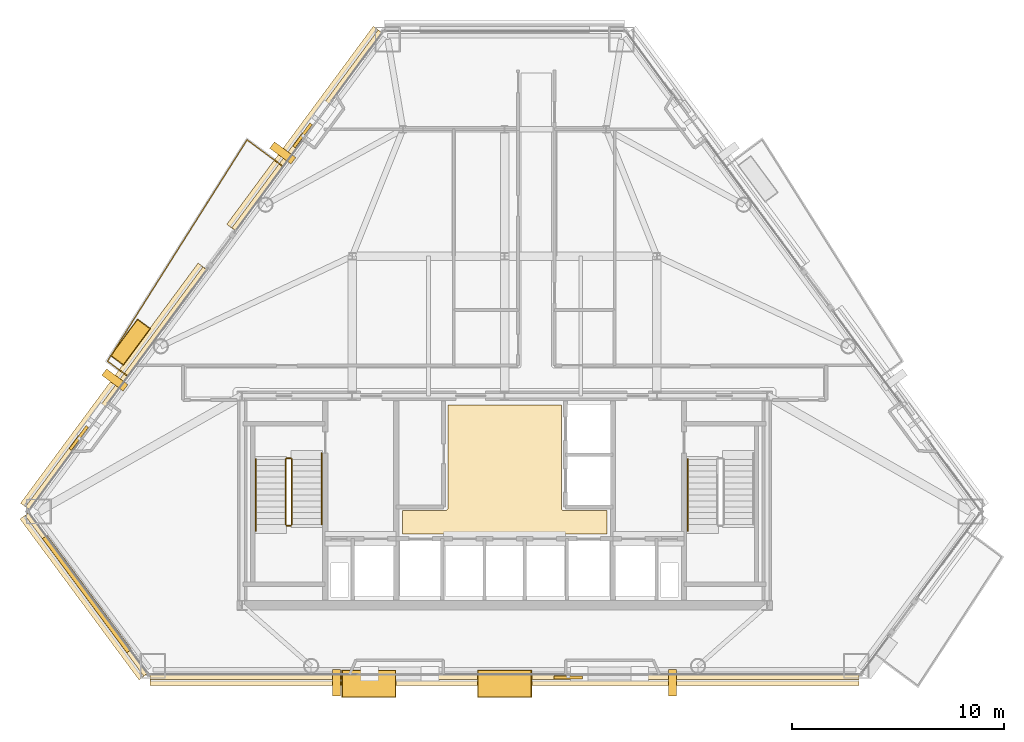
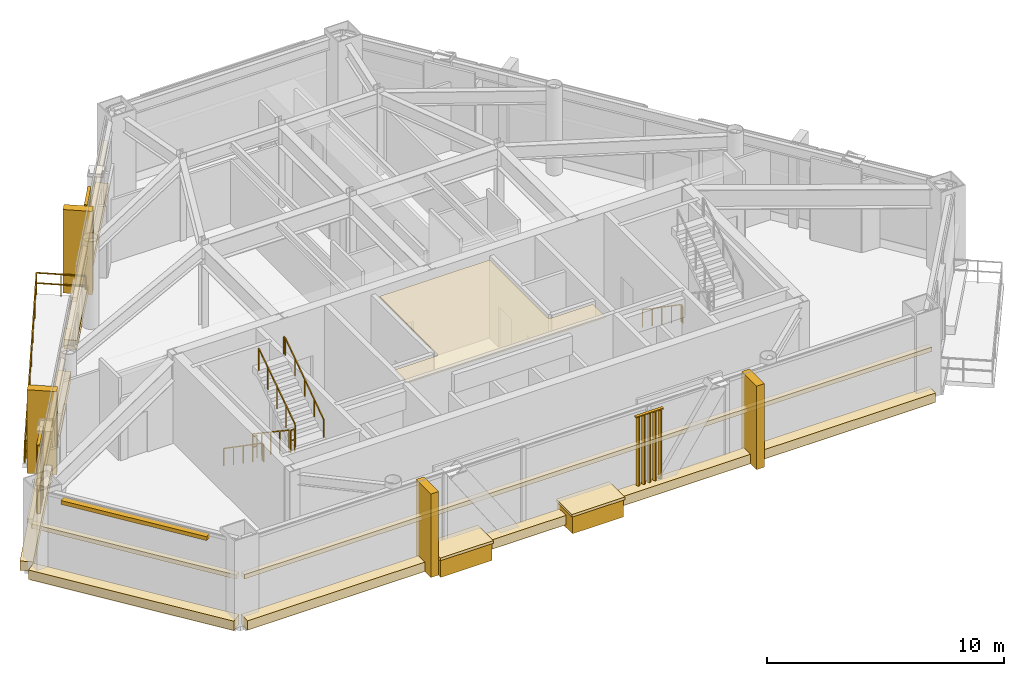
# One storey, part 10 of 11: 19 coverings, 8 railings, 4 shading devices.
"""IFC4 building model written with IfcOpenShell, lengths in metres."""

import ifcopenshell
import ifcopenshell.guid

model = None  # the IFC model being written
_history = None  # IfcOwnerHistory: only IFC2X3 demands one
_inside = {}  # id of a spatial element -> (the spatial element, [elements in it])
_under = {}  # id of a project, library or spatial element -> (it, [spatial elements below it])
_declared = {}  # id of a project -> (the project, [libraries it declares])
_typed = {}  # id of a type object -> (the type object, [elements of that type])
_made_of = {}  # id of a material, layer set ... -> (it, [elements and type objects made of it])


def new_model(schema):
    """Start an empty IFC model of exactly this schema.

    Asked for "IFC4X3", IfcOpenShell would pick the latest addendum, in which some entities
    have other attributes; the version numbers below select the first issue.
    IFC2X3 requires an IfcOwnerHistory on every rooted entity: one is made here for all.
    """
    global model, _history
    if schema == "IFC4X3":
        model = ifcopenshell.file(schema_version=(4, 3, 0, 0))
    else:
        model = ifcopenshell.file(schema=schema)
    _inside.clear()
    _under.clear()
    _declared.clear()
    _typed.clear()
    _made_of.clear()
    _history = None
    if model.schema == "IFC2X3":
        org = make("IfcOrganization", Name="unknown")
        user = make(
            "IfcPersonAndOrganization",
            ThePerson=make("IfcPerson", FamilyName="unknown"),
            TheOrganization=org,
        )
        app = make(
            "IfcApplication",
            ApplicationDeveloper=org,
            Version="unknown",
            ApplicationFullName="unknown",
            ApplicationIdentifier="unknown",
        )
        _history = make(
            "IfcOwnerHistory",
            OwningUser=user,
            OwningApplication=app,
            ChangeAction="ADDED",
            CreationDate=0,
        )
    return model


def make(cls, **values):
    """One entity of the class cls with the attributes given. An attribute that is None is left unset."""
    return model.create_entity(
        cls, **{name: value for name, value in values.items() if value is not None}
    )


def rooted(cls, **values):
    """An entity with a GlobalId (a new one), such as an element, a storey or a relation."""
    return make(cls, GlobalId=ifcopenshell.guid.new(), OwnerHistory=_history, **values)


def si_unit(unit_type, name, prefix=None):
    """IfcSIUnit, for example si_unit("LENGTHUNIT", "METRE", prefix="MILLI")."""
    return make("IfcSIUnit", UnitType=unit_type, Prefix=prefix, Name=name)


def assignment(units):
    """IfcUnitAssignment: the units of a project."""
    return None if units is None else make("IfcUnitAssignment", Units=units)


def point(xyz):
    """IfcCartesianPoint."""
    return None if xyz is None else make("IfcCartesianPoint", Coordinates=xyz)


def direction(xyz):
    """IfcDirection."""
    return None if xyz is None else make("IfcDirection", DirectionRatios=xyz)


def frame(location, z_axis=None, x_axis=None):
    """IfcAxis2Placement3D, a coordinate frame: its origin and axes. An axis left out is left unset."""
    return make(
        "IfcAxis2Placement3D",
        Location=point(location),
        Axis=direction(z_axis),
        RefDirection=direction(x_axis),
    )


def frame_2d(location, x_axis=None):
    """IfcAxis2Placement2D, a coordinate frame in the plane: its origin and x axis."""
    return make(
        "IfcAxis2Placement2D", Location=point(location), RefDirection=direction(x_axis)
    )


def origin():
    """The frame at (0, 0, 0) with its axes left unset."""
    return frame((0.0, 0.0, 0.0))


def origin_2d():
    """The frame at (0, 0) in the plane with its x axis left unset."""
    return frame_2d((0.0, 0.0))


def place(relative_to, where):
    """IfcLocalPlacement: puts the frame where relative to a parent placement (None: the world)."""
    return make(
        "IfcLocalPlacement", PlacementRelTo=relative_to, RelativePlacement=where
    )


def context(
    kind, dimensions, precision=None, world=None, true_north=None, identifier=None
):
    """IfcGeometricRepresentationContext, for example the 3D "Model" context."""
    return make(
        "IfcGeometricRepresentationContext",
        ContextIdentifier=identifier,
        ContextType=kind,
        CoordinateSpaceDimension=dimensions,
        Precision=precision,
        WorldCoordinateSystem=world,
        TrueNorth=true_north,
    )


def subcontext(parent, identifier, kind, view, scale=None):
    """IfcGeometricRepresentationSubContext, for example "Body" below "Model"."""
    return make(
        "IfcGeometricRepresentationSubContext",
        ContextIdentifier=identifier,
        ContextType=kind,
        ParentContext=parent,
        TargetScale=scale,
        TargetView=view,
    )


def project(units=None, contexts=None):
    """IfcProject with its units and contexts."""
    return rooted(
        "IfcProject",
        Name="project",
        RepresentationContexts=contexts,
        UnitsInContext=assignment(units),
    )


def spatial(cls, under=None, at=None, **own):
    """A site, building, storey or space (cls), placed at a placement, below another one or the project."""
    s = rooted(cls, ObjectPlacement=at, **own)
    if under is not None:
        _under.setdefault(under.id(), (under, []))[1].append(s)
    return s


def polyline(points):
    """IfcPolyline through the points."""
    return make("IfcPolyline", Points=[point(p) for p in points])


def profile(cls, at=None, kind="AREA", **sizes):
    """A parametric profile (cls). Its sizes go by their IFC names, for example OverallWidth=200.0."""
    return make(cls, ProfileType=kind, Position=at, **sizes)


def rectangle(**sizes):
    """IfcRectangleProfileDef."""
    return profile("IfcRectangleProfileDef", **sizes)


def outline(outer, holes=None, kind="AREA"):
    """IfcArbitraryClosedProfileDef: a profile drawn as a closed curve; with holes, ...WithVoids."""
    if holes is None:
        return make("IfcArbitraryClosedProfileDef", ProfileType=kind, OuterCurve=outer)
    return make(
        "IfcArbitraryProfileDefWithVoids",
        ProfileType=kind,
        OuterCurve=outer,
        InnerCurves=holes,
    )


def extrude(swept, where, along, depth):
    """IfcExtrudedAreaSolid: the profile swept, set in the frame where, extruded along a direction by depth."""
    return make(
        "IfcExtrudedAreaSolid",
        SweptArea=swept,
        Position=where,
        ExtrudedDirection=direction(along),
        Depth=depth,
    )


def shape(context_of_items, identifier, shape_type, items):
    """IfcShapeRepresentation: the items that make up one representation, for example the "Body"."""
    return make(
        "IfcShapeRepresentation",
        ContextOfItems=context_of_items,
        RepresentationIdentifier=identifier,
        RepresentationType=shape_type,
        Items=items,
    )


def source(mapping_origin, context_of_items, identifier, shape_type, items):
    """IfcRepresentationMap: a shape defined once, which mapped items show again and again."""
    return make(
        "IfcRepresentationMap",
        MappingOrigin=mapping_origin,
        MappedRepresentation=shape(context_of_items, identifier, shape_type, items),
    )


def transform(
    local_origin,
    x_axis=None,
    y_axis=None,
    z_axis=None,
    scale=None,
    scale2=None,
    scale3=None,
    uniform=True,
):
    """IfcCartesianTransformationOperator3D, or its non-uniform kind. x_axis, y_axis, z_axis: its Axis1, 2, 3."""
    if uniform:
        return make(
            "IfcCartesianTransformationOperator3D",
            Axis1=direction(x_axis),
            Axis2=direction(y_axis),
            LocalOrigin=point(local_origin),
            Scale=scale,
            Axis3=direction(z_axis),
        )
    return make(
        "IfcCartesianTransformationOperator3DnonUniform",
        Axis1=direction(x_axis),
        Axis2=direction(y_axis),
        LocalOrigin=point(local_origin),
        Scale=scale,
        Axis3=direction(z_axis),
        Scale2=scale2,
        Scale3=scale3,
    )


def mapped(mapping_source, mapping_target):
    """IfcMappedItem: shows the shape of a source again, moved by a transform."""
    return make(
        "IfcMappedItem", MappingSource=mapping_source, MappingTarget=mapping_target
    )


def material(Name=None, Category=None):
    """IfcMaterial."""
    return make("IfcMaterial", Name=Name, Category=Category)


def layer(
    of_material, thickness, ventilated=None, Name=None, Category=None, Priority=None
):
    """IfcMaterialLayer: one layer of a wall or slab, of a material (None: an air gap)."""
    return make(
        "IfcMaterialLayer",
        Material=of_material,
        LayerThickness=thickness,
        IsVentilated=ventilated,
        Name=Name,
        Category=Category,
        Priority=Priority,
    )


def layer_set(layers, Name=None):
    """IfcMaterialLayerSet."""
    return make("IfcMaterialLayerSet", MaterialLayers=layers, LayerSetName=Name)


def made_of(thing, what):
    """Note that an element or type object is made of a material, layer set ...; save() writes the relation."""
    if what is not None:
        _made_of.setdefault(what.id(), (what, []))[1].append(thing)
    return thing


def type_object(cls, material=None, **own):
    """A type object (cls), such as IfcWallType, which elements share."""
    return made_of(rooted(cls, **own), material)


def type_shapes(of_type, sources):
    """Give a type object the sources (RepresentationMaps) that its elements show as mapped items."""
    of_type.RepresentationMaps = sources


def element(
    cls,
    number,
    at=None,
    inside=None,
    cuts=None,
    type_object=None,
    material=None,
    context=None,
    identifier="Body",
    shape_type=None,
    held_by="IfcProductDefinitionShape",
    body=None,
    shapes=None,
    **own,
):
    """One element of the class cls, such as IfcWall. Its Tag is "e" and its number.

    at: its placement. inside: the storey or other place that contains it. cuts: it is an
    opening in that element (IfcRelVoidsElement). A single representation is given by context,
    identifier, shape_type and body (its items); several are given by shapes. held_by: the class
    of the entity that holds the representations. save() writes the other relations.
    """
    e = rooted(cls, Tag="e%d" % number, ObjectPlacement=at, **own)
    if body is not None:
        shapes = [shape(context, identifier, shape_type, body)]
    if shapes is not None:
        e.Representation = make(held_by, Representations=shapes)
    if inside is not None:
        _inside.setdefault(inside.id(), (inside, []))[1].append(e)
    if cuts is not None:
        rooted(
            "IfcRelVoidsElement", RelatingBuildingElement=cuts, RelatedOpeningElement=e
        )
    if type_object is not None:
        _typed.setdefault(type_object.id(), (type_object, []))[1].append(e)
    return made_of(e, material)


def aggregate(whole, parts):
    """IfcRelAggregates: a whole, such as a stair, and the parts it consists of."""
    return rooted("IfcRelAggregates", RelatingObject=whole, RelatedObjects=parts)


def save(model, path):
    """Write the relations noted so far, then the file.

    IfcRelAggregates (storeys below a building ...), IfcRelContainedInSpatialStructure (elements
    in a storey), IfcRelDefinesByType, IfcRelAssociatesMaterial and IfcRelDeclares: one each for
    every whole, place, type object, material and project.
    """
    for whole, parts in _under.values():
        aggregate(whole, parts)
    for where, things in _inside.values():
        rooted(
            "IfcRelContainedInSpatialStructure",
            RelatedElements=things,
            RelatingStructure=where,
        )
    for kind, things in _typed.values():
        rooted("IfcRelDefinesByType", RelatedObjects=things, RelatingType=kind)
    for what, things in _made_of.values():
        rooted("IfcRelAssociatesMaterial", RelatedObjects=things, RelatingMaterial=what)
    for by, libraries in _declared.values():
        rooted("IfcRelDeclares", RelatingContext=by, RelatedDefinitions=libraries)
    model.write(path)


model = new_model("IFC4")

# Units and contexts
model_context = context("Model", 3, precision=1e-05, world=origin(), true_north=direction((0.0, 1.0)))
body_context = subcontext(model_context, "Body", "Model", "MODEL_VIEW")
ifc_project = project(units=[si_unit("LENGTHUNIT", "METRE"), si_unit("AREAUNIT", "SQUARE_METRE"), si_unit("VOLUMEUNIT", "CUBIC_METRE"), si_unit("PLANEANGLEUNIT", "RADIAN"), si_unit("MASSUNIT", "GRAM", prefix="KILO")], contexts=[model_context])

# Site, building, storey
site_placement = place(None, origin())
site = spatial("IfcSite", under=ifc_project, at=site_placement, CompositionType="ELEMENT")
building_placement = place(site_placement, origin())
building = spatial("IfcBuilding", under=site, at=building_placement, Name="Talgorran Terracotta Tower", CompositionType="ELEMENT")
storey_placement = place(building_placement, frame((0.0, 0.0, 117.60009765625)))
storey = spatial("IfcBuildingStorey", under=building, at=storey_placement, Name="L30", CompositionType="ELEMENT", Elevation=117.60009765625)

# Coverings
ifc_material_1 = material(Name="Kiln-Fired Terracotta Ochre Ceramic", Category="masonry")
ifc_layer_1 = layer(ifc_material_1, 0.179931640625, Name="COV_BAGUETTE_TERRACOTTA_SCREEN")
ifc_layer_set_1 = layer_set([ifc_layer_1], Name="Kiln-Fired Terracotta Ochre Ceramic")
covering_type_1 = type_object("IfcCoveringType", Name="COV_BAGUETTE_TERRACOTTA_SCREEN", PredefinedType="CLADDING", material=ifc_layer_set_1)
covering_1_placement = place(storey_placement, frame((-19.748291015625, -13.572021484375, 2.41015625), z_axis=(0.0, 0.0, 1.0), x_axis=(0.594640382106, -0.803991800934, 0.0)))
element("IfcCovering", 1, at=covering_1_placement, inside=storey, type_object=covering_type_1, Name="L30 Terracotta Baguette Solar Screen Assembly F0", PredefinedType="CLADDING", context=body_context, shape_type="SweptSolid", body=[
    extrude(rectangle(XDim=9.43896484375, YDim=0.260009765625, at=origin_2d()), origin(), (0.0, 0.0, 1.0), 0.219970703125),
])
covering_2_placement = place(storey_placement, frame((0.0, -17.46337890625, 2.41015625), z_axis=(0.0, 0.0, 1.0), x_axis=(1.0, 0.0, 0.0)))
element("IfcCovering", 2, at=covering_2_placement, inside=storey, type_object=covering_type_1, Name="L30 Terracotta Baguette Solar Screen Assembly F1", PredefinedType="CLADDING", context=body_context, shape_type="SweptSolid", body=[
    extrude(rectangle(XDim=33.5, YDim=0.260009765625, at=origin_2d()), origin(), (0.0, 0.0, 1.0), 0.219970703125),
])
covering_3_placement = place(storey_placement, frame((-9.326904296875, 8.3388671875, 2.41015625), z_axis=(0.0, 0.0, 1.0), x_axis=(-0.594640382106, -0.803991800934, 0.0)))
element("IfcCovering", 3, at=covering_3_placement, inside=storey, type_object=covering_type_1, Name="L30 Terracotta Baguette Solar Screen Assembly F60", PredefinedType="CLADDING", context=body_context, shape_type="SweptSolid", body=[
    extrude(rectangle(XDim=11.626953125, YDim=0.260009765625, at=origin_2d()), origin(), (0.0, 0.0, 1.0), 0.219970703125),
])
covering_4_placement = place(storey_placement, frame((-18.34130859375, -3.84912109375, 2.41015625), z_axis=(0.0, 0.0, 1.0), x_axis=(-0.594640382106, -0.803991800934, 0.0)))
element("IfcCovering", 4, at=covering_4_placement, inside=storey, type_object=covering_type_1, Name="L30 Terracotta Baguette Solar Screen Assembly F61", PredefinedType="CLADDING", context=body_context, shape_type="SweptSolid", body=[
    extrude(rectangle(XDim=14.091796875, YDim=0.260009765625, at=origin_2d()), origin(), (0.0, 0.0, 1.0), 0.219970703125),
])
ifc_material_2 = material(Name="Flush Moisture-Resistant Plaster")
ifc_layer_2 = layer(ifc_material_2, 0.01806640625, Name="COV_CEIL_PLASTER")
ifc_layer_set_2 = layer_set([ifc_layer_2], Name="Flush Moisture-Resistant Plaster")
covering_type_2 = type_object("IfcCoveringType", Name="COV_CEIL_PLASTER", PredefinedType="CEILING", material=ifc_layer_set_2)
covering_5_placement = place(storey_placement, frame((0.0, 0.0, 4.159912109375)))
element("IfcCovering", 5, at=covering_5_placement, inside=storey, type_object=covering_type_2, Name="CEIL-L30-1", PredefinedType="CEILING", context=body_context, shape_type="SweptSolid", body=[
    extrude(outline(polyline([(-4.830078125, -9.6201171875), (-2.800048828125, -9.6201171875), (-2.7880859375, -9.619384765625), (-2.776611328125, -9.61767578125), (-2.76513671875, -9.61474609375), (-2.754150390625, -9.61083984375), (-2.743408203125, -9.605712890625), (-2.7333984375, -9.599853515625), (-2.723876953125, -9.5927734375), (-2.715087890625, -9.5849609375), (-2.707275390625, -9.576171875), (-2.7001953125, -9.566650390625), (-2.694091796875, -9.556640625), (-2.689208984375, -9.5458984375), (-2.685302734375, -9.534912109375), (-2.682373046875, -9.5234375), (-2.6806640625, -9.51171875), (-2.679931640625, -9.5), (-2.679931640625, -4.6201171875), (2.679931640625, -4.6201171875), (2.679931640625, -9.5), (2.6806640625, -9.51171875), (2.682373046875, -9.5234375), (2.685302734375, -9.534912109375), (2.689208984375, -9.5458984375), (2.694091796875, -9.556640625), (2.7001953125, -9.566650390625), (2.707275390625, -9.576171875), (2.715087890625, -9.5849609375), (2.723876953125, -9.5927734375), (2.7333984375, -9.599853515625), (2.743408203125, -9.605712890625), (2.754150390625, -9.61083984375), (2.76513671875, -9.61474609375), (2.776611328125, -9.61767578125), (2.7880859375, -9.619384765625), (2.800048828125, -9.6201171875), (4.830078125, -9.6201171875), (4.830078125, -10.72998046875), (-4.830078125, -10.72998046875), (-4.830078125, -9.6201171875)])), origin(), (0.0, 0.0, 1.0), 0.02001953125),
])
ifc_material_3 = material(Name="Honed Limestone and Terracotta Planter", Category="masonry")
ifc_layer_3 = layer(ifc_material_3, 0.1201171875, Name="COV_PLANTER_BOX")
ifc_layer_set_3 = layer_set([ifc_layer_3], Name="Honed Limestone and Terracotta Planter")
covering_type_3 = type_object("IfcCoveringType", Name="COV_PLANTER_BOX", PredefinedType="CLADDING", material=ifc_layer_set_3)
for number, where, z_axis, x_axis, name in (
    (6, (-6.41455078125, -17.80322265625, -0.18017578125), (0.0, 0.0, 1.0), (1.0, 0.0, 0.0), "L30 Staggered South Facade Planter Box 1"),
    (7, (0.0, -17.80322265625, -0.18017578125), (0.0, 0.0, 1.0), (1.0, 0.0, 0.0), "L30 Staggered South Facade Planter Box 2"),
):
    element("IfcCovering", number, at=place(storey_placement, frame(where, z_axis=z_axis, x_axis=x_axis)), inside=storey, type_object=covering_type_3, Name=name, PredefinedType="CLADDING", context=body_context, shape_type="SweptSolid", body=[
        extrude(rectangle(XDim=2.5, YDim=1.25, at=origin_2d()), origin(), (0.0, 0.0, 1.0), 0.919921875),
    ])
covering_6_placement = place(storey_placement, frame((-17.679443359375, -1.659423828125, -0.02001953125), z_axis=(0.0, 0.0, 1.0), x_axis=(-0.594640382106, -0.803991800934, 0.0)))
element("IfcCovering", 8, at=covering_6_placement, inside=storey, type_object=covering_type_3, Name="L30 Staggered Balcony Planter Box BAL-NW", PredefinedType="CLADDING", context=body_context, shape_type="SweptSolid", body=[
    extrude(rectangle(XDim=2.10009765625, YDim=0.719970703125, at=origin_2d()), origin(), (0.0, 0.0, 1.0), 0.860107421875),
])
ifc_material_4 = material(Name="Kiln-Fired Terracotta Planter Rim", Category="masonry")
ifc_layer_4 = layer(ifc_material_4, 0.10009765625, Name="COV_PLANTER_RIM")
ifc_layer_set_4 = layer_set([ifc_layer_4], Name="Kiln-Fired Terracotta Planter Rim")
covering_type_4 = type_object("IfcCoveringType", Name="COV_PLANTER_RIM", PredefinedType="CLADDING", material=ifc_layer_set_4)
for number, where, z_axis, x_axis, name in (
    (9, (-6.41455078125, -17.80322265625, 0.7099609375), (0.0, 0.0, 1.0), (1.0, 0.0, 0.0), "L30 South Planter Terracotta Rim 1"),
    (10, (0.0, -17.80322265625, 0.7099609375), (0.0, 0.0, 1.0), (1.0, 0.0, 0.0), "L30 South Planter Terracotta Rim 2"),
):
    element("IfcCovering", number, at=place(storey_placement, frame(where, z_axis=z_axis, x_axis=x_axis)), inside=storey, type_object=covering_type_4, Name=name, PredefinedType="CLADDING", context=body_context, shape_type="SweptSolid", body=[
        extrude(rectangle(XDim=2.580078125, YDim=1.320068359375, at=origin_2d()), origin(), (0.0, 0.0, 1.0), 0.139892578125),
    ])
covering_7_placement = place(storey_placement, frame((-17.679443359375, -1.659423828125, 0.7998046875), z_axis=(0.0, 0.0, 1.0), x_axis=(-0.594640382106, -0.803991800934, 0.0)))
element("IfcCovering", 11, at=covering_7_placement, inside=storey, type_object=covering_type_4, Name="L30 Balcony Planter Terracotta Rim BAL-NW", PredefinedType="CLADDING", context=body_context, shape_type="SweptSolid", body=[
    extrude(rectangle(XDim=2.179931640625, YDim=0.780029296875, at=origin_2d()), origin(), (0.0, 0.0, 1.0), 0.1201171875),
])
ifc_material_5 = material(Name="Honed Limestone Cladding", Category="masonry")
ifc_layer_5 = layer(ifc_material_5, 0.094970703125, Name="COV_PORTAL_LIME")
ifc_layer_set_5 = layer_set([ifc_layer_5], Name="Honed Limestone Cladding")
covering_type_5 = type_object("IfcCoveringType", Name="COV_PORTAL_LIME", PredefinedType="CLADDING", material=ifc_layer_set_5)
covering_8_placement = place(storey_placement, frame((-19.861083984375, -13.6552734375, -0.0400390625), z_axis=(0.0, 0.0, 1.0), x_axis=(0.594640382106, -0.803991800934, 0.0)))
element("IfcCovering", 12, at=covering_8_placement, inside=storey, type_object=covering_type_5, Name="L30 Striped Postmodern Portal Cladding Band F0", PredefinedType="CLADDING", context=body_context, shape_type="SweptSolid", body=[
    extrude(rectangle(XDim=9.458984375, YDim=0.56005859375, at=origin_2d()), origin(), (0.0, 0.0, 1.0), 0.47998046875),
])
covering_9_placement = place(storey_placement, frame((0.0, -17.603271484375, -0.0400390625), z_axis=(0.0, 0.0, 1.0), x_axis=(1.0, 0.0, 0.0)))
element("IfcCovering", 13, at=covering_9_placement, inside=storey, type_object=covering_type_5, Name="L30 Striped Postmodern Portal Cladding Band F1", PredefinedType="CLADDING", context=body_context, shape_type="SweptSolid", body=[
    extrude(rectangle(XDim=33.52001953125, YDim=0.56005859375, at=origin_2d()), origin(), (0.0, 0.0, 1.0), 0.47998046875),
])
covering_10_placement = place(storey_placement, frame((-9.439453125, 8.422119140625, -0.0400390625), z_axis=(0.0, 0.0, 1.0), x_axis=(-0.594640382106, -0.803991800934, 0.0)))
element("IfcCovering", 14, at=covering_10_placement, inside=storey, type_object=covering_type_5, Name="L30 Striped Postmodern Portal Cladding Band F60", PredefinedType="CLADDING", context=body_context, shape_type="SweptSolid", body=[
    extrude(rectangle(XDim=11.64697265625, YDim=0.56005859375, at=origin_2d()), origin(), (0.0, 0.0, 1.0), 0.47998046875),
])
covering_11_placement = place(storey_placement, frame((-18.453857421875, -3.765869140625, -0.0400390625), z_axis=(0.0, 0.0, 1.0), x_axis=(-0.594640382106, -0.803991800934, 0.0)))
element("IfcCovering", 15, at=covering_11_placement, inside=storey, type_object=covering_type_5, Name="L30 Striped Postmodern Portal Cladding Band F61", PredefinedType="CLADDING", context=body_context, shape_type="SweptSolid", body=[
    extrude(rectangle(XDim=14.11181640625, YDim=0.56005859375, at=origin_2d()), origin(), (0.0, 0.0, 1.0), 0.47998046875),
])
for number, where, z_axis, x_axis, name in (
    (16, (7.933837890625, -17.76318359375, -0.05029296875), (0.0, 0.0, 1.0), (1.0, 0.0, 0.0), "L30 White Striped Portal Fin F1-2"),
    (17, (-18.4169921875, -3.447021484375, -0.05029296875), (0.0, 0.0, 1.0), (-0.594640382106, -0.803991800934, 0.0), "L30 White Striped Portal Fin F5-2"),
):
    element("IfcCovering", number, at=place(storey_placement, frame(where, z_axis=z_axis, x_axis=x_axis)), inside=storey, type_object=covering_type_5, Name=name, PredefinedType="CLADDING", context=body_context, shape_type="SweptSolid", body=[
        extrude(rectangle(XDim=0.3798828125, YDim=1.25, at=origin_2d()), origin(), (0.0, 0.0, 1.0), 4.300048828125),
    ])
ifc_material_6 = material(Name="Kiln-Fired Terracotta Cladding", Category="masonry")
ifc_layer_6 = layer(ifc_material_6, 0.090087890625, Name="COV_PORTAL_TERRA")
ifc_layer_set_6 = layer_set([ifc_layer_6], Name="Kiln-Fired Terracotta Cladding")
covering_type_6 = type_object("IfcCoveringType", Name="COV_PORTAL_TERRA", PredefinedType="CLADDING", material=ifc_layer_set_6)
for number, where, z_axis, x_axis, name in (
    (18, (-7.933837890625, -17.76318359375, -0.05029296875), (0.0, 0.0, 1.0), (1.0, 0.0, 0.0), "L30 Terracotta Striped Portal Fin F1-1"),
    (19, (-10.483154296875, 7.280029296875, -0.05029296875), (0.0, 0.0, 1.0), (-0.594640382106, -0.803991800934, 0.0), "L30 Terracotta Striped Portal Fin F5-1"),
):
    element("IfcCovering", number, at=place(storey_placement, frame(where, z_axis=z_axis, x_axis=x_axis)), inside=storey, type_object=covering_type_6, Name=name, PredefinedType="CLADDING", context=body_context, shape_type="SweptSolid", body=[
        extrude(rectangle(XDim=0.3798828125, YDim=1.25, at=origin_2d()), origin(), (0.0, 0.0, 1.0), 4.300048828125),
    ])

# Railings
ifc_material_7 = material(Name="Laminated Glass and Stainless Steel 316", Category="steel")
railing_type_1 = type_object("IfcRailingType", Name="RL_BALCONY_1150", PredefinedType="BALUSTRADE", material=ifc_material_7)
railing_1_placement = place(storey_placement, frame((-10.478515625, 6.6474609375, 0.0)))
element("IfcRailing", 20, at=railing_1_placement, inside=storey, type_object=railing_type_1, Name="RL-L30-BAL-BAL-NW", PredefinedType="BALUSTRADE", context=body_context, shape_type="SweptSolid", body=[
    extrude(rectangle(XDim=0.048095703125, YDim=0.048095703125, at=origin_2d()), frame((0.0, 0.0, 1.1259765625), z_axis=(-0.803995114748, 0.594635901592, 0.0), x_axis=(-0.594635901592, -0.803995114748, 0.0)), (0.0, 0.0, 1.0), 2.1025390625),
    extrude(rectangle(XDim=0.048095703125, YDim=0.048095703125, at=origin_2d()), frame((0.0, 0.0, 0.597900390625), z_axis=(-0.803995114748, 0.594635901592, 0.0), x_axis=(-0.594635901592, -0.803995114748, 0.0)), (0.0, 0.0, 1.0), 2.1025390625),
    extrude(rectangle(XDim=0.048095703125, YDim=0.048095703125, at=origin_2d()), frame((-1.6904296875, 1.250244140625, 1.1259765625), z_axis=(-0.533494421318, -0.845803583832, 0.0), x_axis=(0.845803583832, -0.533494421318, 0.0)), (0.0, 0.0, 1.0), 12.364501953125),
    extrude(rectangle(XDim=0.048095703125, YDim=0.048095703125, at=origin_2d()), frame((-1.6904296875, 1.250244140625, 0.597900390625), z_axis=(-0.533494421318, -0.845803583832, 0.0), x_axis=(0.845803583832, -0.533494421318, 0.0)), (0.0, 0.0, 1.0), 12.364501953125),
    extrude(rectangle(XDim=0.048095703125, YDim=0.048095703125, at=origin_2d()), frame((-8.286865234375, -9.207763671875, 1.1259765625), z_axis=(0.803979525479, -0.594656978947, 0.0), x_axis=(0.594656978947, 0.803979525479, 0.0)), (0.0, 0.0, 1.0), 1.187255859375),
    extrude(rectangle(XDim=0.048095703125, YDim=0.048095703125, at=origin_2d()), frame((-8.286865234375, -9.207763671875, 0.597900390625), z_axis=(0.803979525479, -0.594656978947, 0.0), x_axis=(0.594656978947, 0.803979525479, 0.0)), (0.0, 0.0, 1.0), 1.187255859375),
    extrude(rectangle(XDim=0.0419921875, YDim=0.0419921875, at=origin_2d()), origin(), (0.0, 0.0, 1.0), 1.101806640625),
    extrude(rectangle(XDim=0.0419921875, YDim=0.0419921875, at=origin_2d()), frame((-0.84521484375, 0.625, 0.0)), (0.0, 0.0, 1.0), 1.101806640625),
    extrude(rectangle(XDim=0.0419921875, YDim=0.0419921875, at=origin_2d()), frame((-1.6904296875, 1.250244140625, 0.0)), (0.0, 0.0, 1.0), 1.101806640625),
    extrude(rectangle(XDim=0.0419921875, YDim=0.0419921875, at=origin_2d()), frame((-2.6328125, -0.24365234375, 0.0)), (0.0, 0.0, 1.0), 1.101806640625),
    extrude(rectangle(XDim=0.0419921875, YDim=0.0419921875, at=origin_2d()), frame((-3.5751953125, -1.73779296875, 0.0)), (0.0, 0.0, 1.0), 1.101806640625),
    extrude(rectangle(XDim=0.0419921875, YDim=0.0419921875, at=origin_2d()), frame((-4.517578125, -3.231689453125, 0.0)), (0.0, 0.0, 1.0), 1.101806640625),
    extrude(rectangle(XDim=0.0419921875, YDim=0.0419921875, at=origin_2d()), frame((-5.459716796875, -4.725830078125, 0.0)), (0.0, 0.0, 1.0), 1.101806640625),
    extrude(rectangle(XDim=0.0419921875, YDim=0.0419921875, at=origin_2d()), frame((-6.402099609375, -6.2197265625, 0.0)), (0.0, 0.0, 1.0), 1.101806640625),
    extrude(rectangle(XDim=0.0419921875, YDim=0.0419921875, at=origin_2d()), frame((-7.344482421875, -7.7138671875, 0.0)), (0.0, 0.0, 1.0), 1.101806640625),
    extrude(rectangle(XDim=0.0419921875, YDim=0.0419921875, at=origin_2d()), frame((-8.286865234375, -9.207763671875, 0.0)), (0.0, 0.0, 1.0), 1.101806640625),
    extrude(rectangle(XDim=0.0419921875, YDim=0.0419921875, at=origin_2d()), frame((-7.332275390625, -9.913818359375, 0.0)), (0.0, 0.0, 1.0), 1.101806640625),
])
ifc_material_8 = material(Name="Steel S355 (300PLUS)", Category="steel")
railing_type_2 = type_object("IfcRailingType", Name="RL_HANDRAIL_920", PredefinedType="HANDRAIL", material=ifc_material_8)
railing_2_placement = place(storey_placement, frame((-11.75, -7.199951171875, 0.1875)))
element("IfcRailing", 21, at=railing_2_placement, inside=storey, type_object=railing_type_2, Name="L30 ST-01 stair handrail 1", PredefinedType="HANDRAIL", context=body_context, shape_type="SweptSolid", body=[
    extrude(rectangle(XDim=0.048095703125, YDim=0.048095703125, at=origin_2d()), frame((0.0, 0.0, 0.89599609375), z_axis=(0.0, -0.82301009837, 0.568026740551), x_axis=(1.0, 0.0, 0.0)), (0.0, 0.0, 1.0), 3.961181640625),
    extrude(rectangle(XDim=0.048095703125, YDim=0.048095703125, at=origin_2d()), frame((0.0, -3.260009765625, 3.14599609375), z_axis=(0.0, -1.0, 0.0), x_axis=(1.0, 0.0, 0.0)), (0.0, 0.0, 1.0), 0.1201171875),
    extrude(rectangle(XDim=0.0419921875, YDim=0.0419921875, at=origin_2d()), origin(), (0.0, 0.0, 1.0), 0.871826171875),
    extrude(rectangle(XDim=0.0419921875, YDim=0.0419921875, at=origin_2d()), frame((0.0, -0.81494140625, 0.5625)), (0.0, 0.0, 1.0), 0.871826171875),
    extrude(rectangle(XDim=0.0419921875, YDim=0.0419921875, at=origin_2d()), frame((0.0, -1.6298828125, 1.125)), (0.0, 0.0, 1.0), 0.871826171875),
    extrude(rectangle(XDim=0.0419921875, YDim=0.0419921875, at=origin_2d()), frame((0.0, -2.445068359375, 1.6875)), (0.0, 0.0, 1.0), 0.871826171875),
    extrude(rectangle(XDim=0.0419921875, YDim=0.0419921875, at=origin_2d()), frame((0.0, -3.260009765625, 2.25)), (0.0, 0.0, 1.0), 0.871826171875),
    extrude(rectangle(XDim=0.0419921875, YDim=0.0419921875, at=origin_2d()), frame((0.0, -3.380126953125, 2.25)), (0.0, 0.0, 1.0), 0.871826171875),
])
railing_3_placement = place(storey_placement, frame((-8.64990234375, -10.280029296875, 2.4375)))
element("IfcRailing", 22, at=railing_3_placement, inside=storey, type_object=railing_type_2, Name="L30 ST-01 stair handrail 2", PredefinedType="HANDRAIL", context=body_context, shape_type="SweptSolid", body=[
    extrude(rectangle(XDim=0.048095703125, YDim=0.048095703125, at=origin_2d()), frame((0.0, 0.0, 0.89599609375), z_axis=(0.0, 0.82301009837, 0.568026740551), x_axis=(-1.0, 0.0, 0.0)), (0.0, 0.0, 1.0), 3.961181640625),
    extrude(rectangle(XDim=0.048095703125, YDim=0.048095703125, at=origin_2d()), frame((0.0, 3.260009765625, 3.14599609375), z_axis=(0.0, 1.0, 0.0), x_axis=(-1.0, 0.0, 0.0)), (0.0, 0.0, 1.0), 0.1201171875),
    extrude(rectangle(XDim=0.0419921875, YDim=0.0419921875, at=origin_2d()), origin(), (0.0, 0.0, 1.0), 0.871826171875),
    extrude(rectangle(XDim=0.0419921875, YDim=0.0419921875, at=origin_2d()), frame((0.0, 0.81494140625, 0.5625)), (0.0, 0.0, 1.0), 0.871826171875),
    extrude(rectangle(XDim=0.0419921875, YDim=0.0419921875, at=origin_2d()), frame((0.0, 1.6298828125, 1.125)), (0.0, 0.0, 1.0), 0.871826171875),
    extrude(rectangle(XDim=0.0419921875, YDim=0.0419921875, at=origin_2d()), frame((0.0, 2.445068359375, 1.6875)), (0.0, 0.0, 1.0), 0.871826171875),
    extrude(rectangle(XDim=0.0419921875, YDim=0.0419921875, at=origin_2d()), frame((0.0, 3.260009765625, 2.25)), (0.0, 0.0, 1.0), 0.871826171875),
    extrude(rectangle(XDim=0.0419921875, YDim=0.0419921875, at=origin_2d()), frame((0.0, 3.380126953125, 2.25)), (0.0, 0.0, 1.0), 0.871826171875),
])
railing_4_placement = place(storey_placement, frame((8.64990234375, -7.199951171875, 0.1875)))
element("IfcRailing", 23, at=railing_4_placement, inside=storey, type_object=railing_type_2, Name="L30 ST-02 stair handrail 1", PredefinedType="HANDRAIL", context=body_context, shape_type="SweptSolid", body=[
    extrude(rectangle(XDim=0.048095703125, YDim=0.048095703125, at=origin_2d()), frame((0.0, 0.0, 0.89599609375), z_axis=(0.0, -0.82301009837, 0.568026740551), x_axis=(1.0, 0.0, 0.0)), (0.0, 0.0, 1.0), 3.961181640625),
    extrude(rectangle(XDim=0.048095703125, YDim=0.048095703125, at=origin_2d()), frame((0.0, -3.260009765625, 3.14599609375), z_axis=(0.0, -1.0, 0.0), x_axis=(1.0, 0.0, 0.0)), (0.0, 0.0, 1.0), 0.1201171875),
    extrude(rectangle(XDim=0.0419921875, YDim=0.0419921875, at=origin_2d()), origin(), (0.0, 0.0, 1.0), 0.871826171875),
    extrude(rectangle(XDim=0.0419921875, YDim=0.0419921875, at=origin_2d()), frame((0.0, -0.81494140625, 0.5625)), (0.0, 0.0, 1.0), 0.871826171875),
    extrude(rectangle(XDim=0.0419921875, YDim=0.0419921875, at=origin_2d()), frame((0.0, -1.6298828125, 1.125)), (0.0, 0.0, 1.0), 0.871826171875),
    extrude(rectangle(XDim=0.0419921875, YDim=0.0419921875, at=origin_2d()), frame((0.0, -2.445068359375, 1.6875)), (0.0, 0.0, 1.0), 0.871826171875),
    extrude(rectangle(XDim=0.0419921875, YDim=0.0419921875, at=origin_2d()), frame((0.0, -3.260009765625, 2.25)), (0.0, 0.0, 1.0), 0.871826171875),
    extrude(rectangle(XDim=0.0419921875, YDim=0.0419921875, at=origin_2d()), frame((0.0, -3.380126953125, 2.25)), (0.0, 0.0, 1.0), 0.871826171875),
])
railing_type_3 = type_object("IfcRailingType", Name="RL_STAIR_GUARD", PredefinedType="GUARDRAIL", material=ifc_material_8)
railing_5_placement = place(storey_placement, frame((-10.35009765625, -7.199951171875, 0.1875)))
element("IfcRailing", 24, at=railing_5_placement, inside=storey, type_object=railing_type_3, Name="L30 ST-01 stair guard 1", PredefinedType="GUARDRAIL", context=body_context, shape_type="SweptSolid", body=[
    extrude(rectangle(XDim=0.048095703125, YDim=0.048095703125, at=origin_2d()), frame((0.0, 0.0, 1.15576171875), z_axis=(0.0, -0.830913701846, 0.55640131208), x_axis=(1.0, 0.0, 0.0)), (0.0, 0.0, 1.0), 3.706787109375),
    extrude(rectangle(XDim=0.0419921875, YDim=0.0419921875, at=origin_2d()), origin(), (0.0, 0.0, 1.0), 1.1318359375),
    extrude(rectangle(XDim=0.0419921875, YDim=0.0419921875, at=origin_2d()), frame((0.0, -0.77001953125, 0.515625)), (0.0, 0.0, 1.0), 1.1318359375),
    extrude(rectangle(XDim=0.0419921875, YDim=0.0419921875, at=origin_2d()), frame((0.0, -1.5400390625, 1.03125)), (0.0, 0.0, 1.0), 1.1318359375),
    extrude(rectangle(XDim=0.0419921875, YDim=0.0419921875, at=origin_2d()), frame((0.0, -2.31005859375, 1.546875)), (0.0, 0.0, 1.0), 1.1318359375),
    extrude(rectangle(XDim=0.0419921875, YDim=0.0419921875, at=origin_2d()), frame((0.0, -3.080078125, 2.0625)), (0.0, 0.0, 1.0), 1.1318359375),
])
railing_6_placement = place(storey_placement, frame((-10.300048828125, -10.330078125, 2.25)))
element("IfcRailing", 25, at=railing_6_placement, inside=storey, type_object=railing_type_3, Name="L30 ST-01 stair guard 2", PredefinedType="GUARDRAIL", context=body_context, shape_type="SweptSolid", body=[
    extrude(rectangle(XDim=0.048095703125, YDim=0.048095703125, at=origin_2d()), frame((0.0, 0.0, 1.15576171875), z_axis=(1.0, 0.0, 0.0), x_axis=(0.0, 1.0, 0.0)), (0.0, 0.0, 1.0), 0.199951171875),
    extrude(rectangle(XDim=0.048095703125, YDim=0.048095703125, at=origin_2d()), frame((0.0, 0.0, 0.613525390625), z_axis=(1.0, 0.0, 0.0), x_axis=(0.0, 1.0, 0.0)), (0.0, 0.0, 1.0), 0.199951171875),
    extrude(rectangle(XDim=0.0419921875, YDim=0.0419921875, at=origin_2d()), origin(), (0.0, 0.0, 1.0), 1.1318359375),
    extrude(rectangle(XDim=0.0419921875, YDim=0.0419921875, at=origin_2d()), frame((0.199951171875, 0.0, 0.0)), (0.0, 0.0, 1.0), 1.1318359375),
])
railing_7_placement = place(storey_placement, frame((-10.050048828125, -10.280029296875, 2.4375)))
element("IfcRailing", 26, at=railing_7_placement, inside=storey, type_object=railing_type_3, Name="L30 ST-01 stair guard 3", PredefinedType="GUARDRAIL", context=body_context, shape_type="SweptSolid", body=[
    extrude(rectangle(XDim=0.048095703125, YDim=0.048095703125, at=origin_2d()), frame((0.0, 0.0, 1.15576171875), z_axis=(0.0, 0.830913701846, 0.55640131208), x_axis=(-1.0, 0.0, 0.0)), (0.0, 0.0, 1.0), 3.706787109375),
    extrude(rectangle(XDim=0.0419921875, YDim=0.0419921875, at=origin_2d()), origin(), (0.0, 0.0, 1.0), 1.1318359375),
    extrude(rectangle(XDim=0.0419921875, YDim=0.0419921875, at=origin_2d()), frame((0.0, 0.77001953125, 0.515625)), (0.0, 0.0, 1.0), 1.1318359375),
    extrude(rectangle(XDim=0.0419921875, YDim=0.0419921875, at=origin_2d()), frame((0.0, 1.5400390625, 1.03125)), (0.0, 0.0, 1.0), 1.1318359375),
    extrude(rectangle(XDim=0.0419921875, YDim=0.0419921875, at=origin_2d()), frame((0.0, 2.31005859375, 1.546875)), (0.0, 0.0, 1.0), 1.1318359375),
    extrude(rectangle(XDim=0.0419921875, YDim=0.0419921875, at=origin_2d()), frame((0.0, 3.080078125, 2.0625)), (0.0, 0.0, 1.0), 1.1318359375),
])
railing_8_placement = place(storey_placement, frame((-10.300048828125, -7.14990234375, 0.0)))
element("IfcRailing", 27, at=railing_8_placement, inside=storey, type_object=railing_type_3, Name="L30 ST-01 stair guard 4", PredefinedType="GUARDRAIL", context=body_context, shape_type="SweptSolid", body=[
    extrude(rectangle(XDim=0.048095703125, YDim=0.048095703125, at=origin_2d()), frame((0.0, 0.0, 1.15576171875), z_axis=(1.0, 0.0, 0.0), x_axis=(0.0, 1.0, 0.0)), (0.0, 0.0, 1.0), 0.199951171875),
    extrude(rectangle(XDim=0.048095703125, YDim=0.048095703125, at=origin_2d()), frame((0.0, 0.0, 0.613525390625), z_axis=(1.0, 0.0, 0.0), x_axis=(0.0, 1.0, 0.0)), (0.0, 0.0, 1.0), 0.199951171875),
    extrude(rectangle(XDim=0.0419921875, YDim=0.0419921875, at=origin_2d()), origin(), (0.0, 0.0, 1.0), 1.1318359375),
    extrude(rectangle(XDim=0.0419921875, YDim=0.0419921875, at=origin_2d()), frame((0.199951171875, 0.0, 0.0)), (0.0, 0.0, 1.0), 1.1318359375),
])

# Shading devices
ifc_material_9 = material(Name="Kiln-Fired Terracotta", Category="masonry")
ifc_layer_7 = layer(ifc_material_9, 0.280029296875, Name="SHD_SUNSHADE_TERRA")
ifc_layer_set_7 = layer_set([ifc_layer_7], Name="Kiln-Fired Terracotta")
shading_device_type_1 = type_object("IfcShadingDeviceType", Name="SHD_SUNSHADE_TERRA", PredefinedType="AWNING", material=ifc_layer_set_7)
shared_shape_1 = source(origin(), body_context, "Body", "SweptSolid", [
    extrude(rectangle(XDim=6.705322265625, YDim=0.280029296875, at=origin_2d()), origin(), (0.0, 0.0, 1.0), 0.199951171875),
])
type_shapes(shading_device_type_1, [shared_shape_1])
shading_device_placement = place(storey_placement, frame((-19.732421875, -13.560302734375, 4.009765625), z_axis=(0.0, 0.0, 1.0), x_axis=(0.594640382106, -0.803991800934, 0.0)))
element("IfcShadingDevice", 28, at=shading_device_placement, inside=storey, type_object=shading_device_type_1, Name="SHD-BROW-L30-F0", PredefinedType="AWNING", context=body_context, shape_type="MappedRepresentation", body=[
    mapped(shared_shape_1, transform((0.0, 0.0, 0.0), scale=1.0)),
])
ifc_layer_8 = layer(ifc_material_9, 0.139892578125, Name="SHD_BAGUETTE_TERRA")
ifc_layer_set_8 = layer_set([ifc_layer_8], Name="Kiln-Fired Terracotta")
shading_device_type_2 = type_object("IfcShadingDeviceType", Name="SHD_BAGUETTE_TERRA", PredefinedType="JALOUSIE", material=ifc_layer_set_8)
shared_shape_2 = source(origin(), body_context, "Body", "SweptSolid", [
    extrude(rectangle(XDim=1.35009765625, YDim=0.139892578125, at=origin_2d()), origin(), (0.0, 0.0, 1.0), 0.054931640625),
    extrude(rectangle(XDim=1.35009765625, YDim=0.139892578125, at=origin_2d()), frame((0.0, 0.0, 3.64501953125)), (0.0, 0.0, 1.0), 0.054931640625),
    extrude(rectangle(XDim=0.074951171875, YDim=0.139892578125, at=origin_2d()), frame((-0.53515625, 0.0, 0.054931640625), z_axis=(0.0, 0.0, 1.0), x_axis=(0.866025403784, 0.5, 0.0)), (0.0, 0.0, 1.0), 3.590087890625),
    extrude(rectangle(XDim=0.074951171875, YDim=0.139892578125, at=origin_2d()), frame((-0.267578125, 0.0, 0.054931640625), z_axis=(0.0, 0.0, 1.0), x_axis=(0.866025403784, 0.5, 0.0)), (0.0, 0.0, 1.0), 3.590087890625),
    extrude(rectangle(XDim=0.074951171875, YDim=0.139892578125, at=origin_2d()), frame((0.0, 0.0, 0.054931640625), z_axis=(0.0, 0.0, 1.0), x_axis=(0.866025403784, 0.5, 0.0)), (0.0, 0.0, 1.0), 3.590087890625),
    extrude(rectangle(XDim=0.074951171875, YDim=0.139892578125, at=origin_2d()), frame((0.267578125, 0.0, 0.054931640625), z_axis=(0.0, 0.0, 1.0), x_axis=(0.866025403784, 0.5, 0.0)), (0.0, 0.0, 1.0), 3.590087890625),
    extrude(rectangle(XDim=0.074951171875, YDim=0.139892578125, at=origin_2d()), frame((0.53515625, 0.0, 0.054931640625), z_axis=(0.0, 0.0, 1.0), x_axis=(0.866025403784, 0.5, 0.0)), (0.0, 0.0, 1.0), 3.590087890625),
])
type_shapes(shading_device_type_2, [shared_shape_2])
for number, where, z_axis, x_axis, name in (
    (29, (3.015625, -17.50341796875, 0.35009765625), (0.0, 0.0, 1.0), (1.0, 0.0, 0.0), "BAG-L30-F1"),
    (30, (-9.543701171875, 8.11279296875, 0.35009765625), (0.0, 0.0, 1.0), (-0.594640382106, -0.803991800934, 0.0), "BAG-L30-F60"),
    (31, (-20.120849609375, -6.18798828125, 0.35009765625), (0.0, 0.0, 1.0), (-0.594640382106, -0.803991800934, 0.0), "BAG-L30-F61"),
):
    element("IfcShadingDevice", number, at=place(storey_placement, frame(where, z_axis=z_axis, x_axis=x_axis)), inside=storey, type_object=shading_device_type_2, Name=name, PredefinedType="JALOUSIE", context=body_context, shape_type="MappedRepresentation", body=[
        mapped(shared_shape_2, transform((0.0, 0.0, 0.0), scale=1.0)),
    ])

save(model, "model.ifc")
